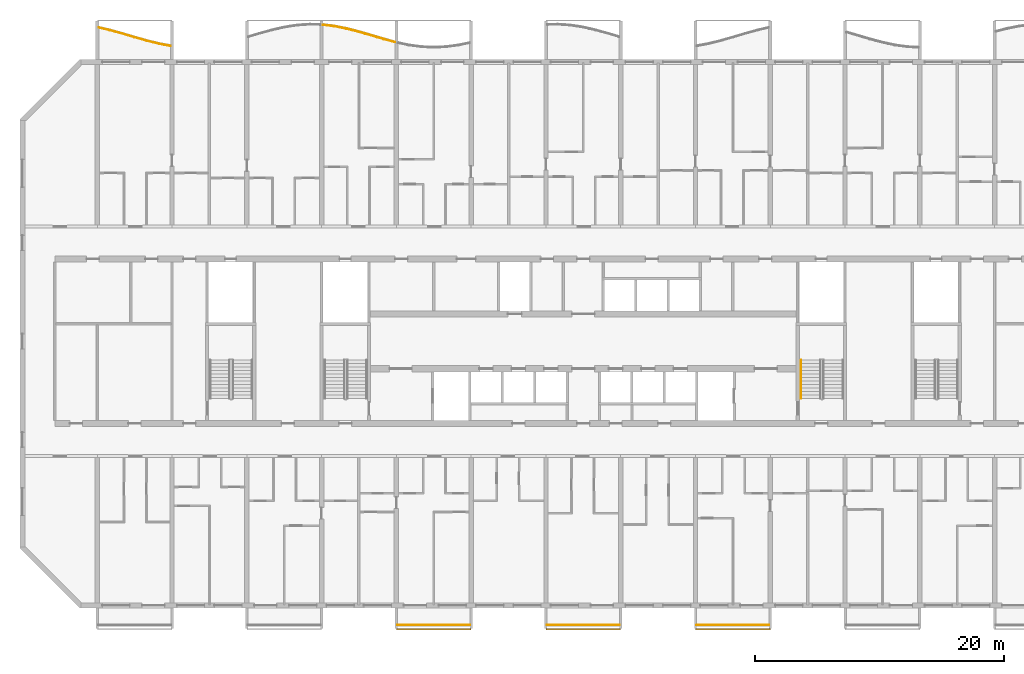
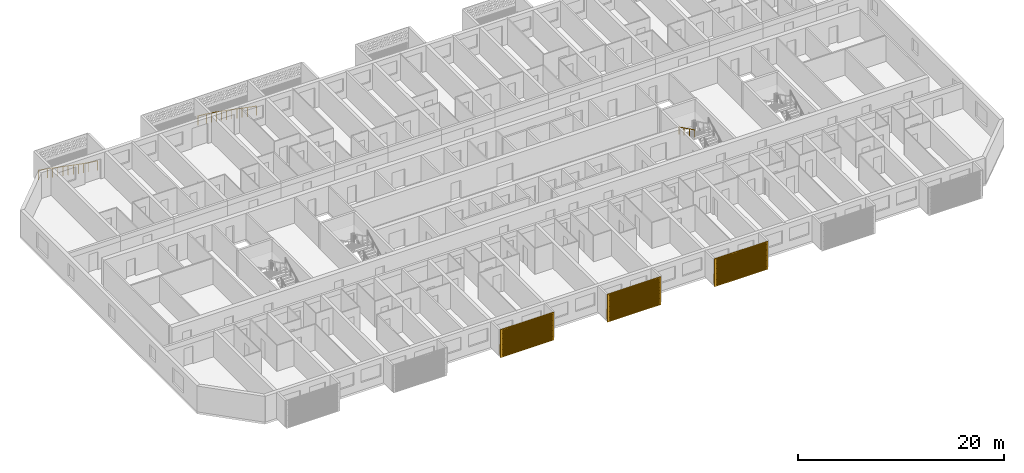
# One storey, part 19 of 31: 6 railings, 3 shading devices.
"""IFC4 building model written with IfcOpenShell, lengths in metres."""

from ifc_helpers import new_model, si_unit, direction, frame, origin, origin_2d, place, context, subcontext, project, spatial, polyline, circle, outline, extrude, source, transform, mapped, material, material_profile, profile_set, type_object, element, save


model = new_model("IFC4")

# Units and contexts
model_context = context("Model", 3, precision=1e-05, world=origin(), true_north=direction((0.0, 1.0)))
body_context = subcontext(model_context, "Body", "Model", "MODEL_VIEW")
ifc_project = project(units=[si_unit("LENGTHUNIT", "METRE"), si_unit("AREAUNIT", "SQUARE_METRE"), si_unit("VOLUMEUNIT", "CUBIC_METRE"), si_unit("PLANEANGLEUNIT", "RADIAN"), si_unit("MASSUNIT", "GRAM", prefix="KILO")], contexts=[model_context])

# Site, building, storey
site_placement = place(None, origin())
site = spatial("IfcSite", under=ifc_project, at=site_placement, CompositionType="ELEMENT")
building_placement = place(site_placement, origin())
building = spatial("IfcBuilding", under=site, at=building_placement, Name="Poui Terraces", CompositionType="ELEMENT")
storey_placement = place(building_placement, frame((0.0, 0.0, 82.800048828125)))
storey = spatial("IfcBuildingStorey", under=building, at=storey_placement, Name="L22", CompositionType="ELEMENT", Elevation=82.800048828125)

# Railings
ifc_material_1 = material(Name="Painted steel fretwork", Category="steel")
railing_type_1 = type_object("IfcRailingType", Name="BALCONY GUARD 1100", PredefinedType="GUARDRAIL", material=ifc_material_1)
railing_1_placement = place(storey_placement, frame((12.125, 46.362060546875, 0.0)))
element("IfcRailing", 1, at=railing_1_placement, inside=storey, type_object=railing_type_1, Name="BALCONY GUARD", PredefinedType="GUARDRAIL", context=body_context, shape_type="SweptSolid", body=[
    extrude(circle(Radius=0.02392578125, at=origin_2d()), frame((0.0, 0.0, 1.076171875), z_axis=(0.973736897475, -0.227676205381, 0.0), x_axis=(0.227676205381, 0.973736897475, 0.0)), (0.0, 0.0, 1.0), 0.898681640625),
    extrude(circle(Radius=0.02392578125, at=origin_2d()), frame((0.875, -0.20458984375, 1.076171875), z_axis=(0.963565078544, -0.267473997633, 0.0), x_axis=(0.267473997633, 0.963565078544, 0.0)), (0.0, 0.0, 1.0), 1.037841796875),
    extrude(circle(Radius=0.02392578125, at=origin_2d()), frame((1.875, -0.482177734375, 1.076171875), z_axis=(0.958774495191, -0.284168026651, 0.0), x_axis=(0.284168026651, 0.958774495191, 0.0)), (0.0, 0.0, 1.0), 1.04296875),
    extrude(circle(Radius=0.02392578125, at=origin_2d()), frame((2.875, -0.778564453125, 1.076171875), z_axis=(0.961727468954, -0.274007801823, 0.0), x_axis=(0.274007801823, 0.961727468954, 0.0)), (0.0, 0.0, 1.0), 1.039794921875),
    extrude(circle(Radius=0.02392578125, at=origin_2d()), frame((3.875, -1.0634765625, 1.076171875), z_axis=(0.971412377048, -0.23739838609, 0.0), x_axis=(0.23739838609, 0.971412377048, 0.0)), (0.0, 0.0, 1.0), 1.029541015625),
    extrude(circle(Radius=0.02392578125, at=origin_2d()), frame((4.875, -1.307861328125, 1.076171875), z_axis=(0.983609802465, -0.180310167472, 0.0), x_axis=(0.180310167472, 0.983609802465, 0.0)), (0.0, 0.0, 1.0), 0.8896484375),
    extrude(circle(Radius=0.02099609375, at=origin_2d()), origin(), (0.0, 0.0, 1.0), 1.052001953125),
    extrude(circle(Radius=0.02099609375, at=origin_2d()), frame((0.875, -0.20458984375, 0.0)), (0.0, 0.0, 1.0), 1.052001953125),
    extrude(circle(Radius=0.02099609375, at=origin_2d()), frame((1.375, -0.34326171875, 0.0)), (0.0, 0.0, 1.0), 1.052001953125),
    extrude(circle(Radius=0.02099609375, at=origin_2d()), frame((1.875, -0.482177734375, 0.0)), (0.0, 0.0, 1.0), 1.052001953125),
    extrude(circle(Radius=0.02099609375, at=origin_2d()), frame((2.375, -0.63037109375, 0.0)), (0.0, 0.0, 1.0), 1.052001953125),
    extrude(circle(Radius=0.02099609375, at=origin_2d()), frame((2.875, -0.778564453125, 0.0)), (0.0, 0.0, 1.0), 1.052001953125),
    extrude(circle(Radius=0.02099609375, at=origin_2d()), frame((3.375, -0.9208984375, 0.0)), (0.0, 0.0, 1.0), 1.052001953125),
    extrude(circle(Radius=0.02099609375, at=origin_2d()), frame((3.875, -1.0634765625, 0.0)), (0.0, 0.0, 1.0), 1.052001953125),
    extrude(circle(Radius=0.02099609375, at=origin_2d()), frame((4.375, -1.185546875, 0.0)), (0.0, 0.0, 1.0), 1.052001953125),
    extrude(circle(Radius=0.02099609375, at=origin_2d()), frame((4.875, -1.307861328125, 0.0)), (0.0, 0.0, 1.0), 1.052001953125),
    extrude(circle(Radius=0.02099609375, at=origin_2d()), frame((5.75, -1.46826171875, 0.0)), (0.0, 0.0, 1.0), 1.052001953125),
])
railing_2_placement = place(storey_placement, frame((30.125, 46.58349609375, 0.0)))
element("IfcRailing", 2, at=railing_2_placement, inside=storey, type_object=railing_type_1, Name="BALCONY GUARD", PredefinedType="GUARDRAIL", context=body_context, shape_type="SweptSolid", body=[
    extrude(circle(Radius=0.02392578125, at=origin_2d()), frame((0.0, 0.0, 1.076171875), z_axis=(0.992648312578, -0.121034406416, 0.0), x_axis=(0.121034406416, 0.992648312578, 0.0)), (0.0, 0.0, 1.0), 0.881591796875),
    extrude(circle(Radius=0.02392578125, at=origin_2d()), frame((0.875, -0.106689453125, 1.076171875), z_axis=(0.981184042676, -0.193074789648, 0.0), x_axis=(0.193074789648, 0.981184042676, 0.0)), (0.0, 0.0, 1.0), 1.019287109375),
    extrude(circle(Radius=0.02392578125, at=origin_2d()), frame((1.875, -0.303466796875, 1.076171875), z_axis=(0.968507596014, -0.248984008448, 0.0), x_axis=(0.248984008448, 0.968507596014, 0.0)), (0.0, 0.0, 1.0), 1.032470703125),
    extrude(circle(Radius=0.02392578125, at=origin_2d()), frame((2.875, -0.560546875, 1.076171875), z_axis=(0.960230728662, -0.279207714316, 0.0), x_axis=(0.279207714316, 0.960230728662, 0.0)), (0.0, 0.0, 1.0), 1.04150390625),
    extrude(circle(Radius=0.02392578125, at=origin_2d()), frame((3.875, -0.851318359375, 1.076171875), z_axis=(0.959219941058, -0.282660758998, 0.0), x_axis=(0.282660758998, 0.959219941058, 0.0)), (0.0, 0.0, 1.0), 1.04248046875),
    extrude(circle(Radius=0.02392578125, at=origin_2d()), frame((4.875, -1.14599609375, 1.076171875), z_axis=(0.965271662908, -0.261248190017, 0.0), x_axis=(0.261248190017, 0.965271662908, 0.0)), (0.0, 0.0, 1.0), 0.906494140625),
    extrude(circle(Radius=0.02099609375, at=origin_2d()), origin(), (0.0, 0.0, 1.0), 1.052001953125),
    extrude(circle(Radius=0.02099609375, at=origin_2d()), frame((0.875, -0.106689453125, 0.0)), (0.0, 0.0, 1.0), 1.052001953125),
    extrude(circle(Radius=0.02099609375, at=origin_2d()), frame((1.375, -0.205078125, 0.0)), (0.0, 0.0, 1.0), 1.052001953125),
    extrude(circle(Radius=0.02099609375, at=origin_2d()), frame((1.875, -0.303466796875, 0.0)), (0.0, 0.0, 1.0), 1.052001953125),
    extrude(circle(Radius=0.02099609375, at=origin_2d()), frame((2.375, -0.43212890625, 0.0)), (0.0, 0.0, 1.0), 1.052001953125),
    extrude(circle(Radius=0.02099609375, at=origin_2d()), frame((2.875, -0.560546875, 0.0)), (0.0, 0.0, 1.0), 1.052001953125),
    extrude(circle(Radius=0.02099609375, at=origin_2d()), frame((3.375, -0.7060546875, 0.0)), (0.0, 0.0, 1.0), 1.052001953125),
    extrude(circle(Radius=0.02099609375, at=origin_2d()), frame((3.875, -0.851318359375, 0.0)), (0.0, 0.0, 1.0), 1.052001953125),
    extrude(circle(Radius=0.02099609375, at=origin_2d()), frame((4.375, -0.99853515625, 0.0)), (0.0, 0.0, 1.0), 1.052001953125),
    extrude(circle(Radius=0.02099609375, at=origin_2d()), frame((4.875, -1.14599609375, 0.0)), (0.0, 0.0, 1.0), 1.052001953125),
    extrude(circle(Radius=0.02099609375, at=origin_2d()), frame((5.75, -1.3828125, 0.0)), (0.0, 0.0, 1.0), 1.052001953125),
])
for number, where, name in (
    (3, (36.10009765625, -1.570068359375, 0.0), "BALCONY GUARD"),
    (4, (48.10009765625, -1.570068359375, 0.0), "BALCONY GUARD"),
    (5, (60.10009765625, -1.570068359375, 0.0), "BALCONY GUARD"),
):
    element("IfcRailing", number, at=place(storey_placement, frame(where)), inside=storey, type_object=railing_type_1, Name=name, PredefinedType="GUARDRAIL", context=body_context, shape_type="SweptSolid", body=[
        extrude(circle(Radius=0.02392578125, at=origin_2d()), frame((0.0, 0.0, 1.076171875), z_axis=(1.0, 0.0, 0.0), x_axis=(0.0, 1.0, 0.0)), (0.0, 0.0, 1.0), 5.7998046875),
        extrude(circle(Radius=0.02099609375, at=origin_2d()), origin(), (0.0, 0.0, 1.0), 1.052001953125),
        extrude(circle(Radius=0.02099609375, at=origin_2d()), frame((0.966552734375, 0.0, 0.0)), (0.0, 0.0, 1.0), 1.052001953125),
        extrude(circle(Radius=0.02099609375, at=origin_2d()), frame((1.933349609375, 0.0, 0.0)), (0.0, 0.0, 1.0), 1.052001953125),
        extrude(circle(Radius=0.02099609375, at=origin_2d()), frame((2.89990234375, 0.0, 0.0)), (0.0, 0.0, 1.0), 1.052001953125),
        extrude(circle(Radius=0.02099609375, at=origin_2d()), frame((3.866455078125, 0.0, 0.0)), (0.0, 0.0, 1.0), 1.052001953125),
        extrude(circle(Radius=0.02099609375, at=origin_2d()), frame((4.833251953125, 0.0, 0.0)), (0.0, 0.0, 1.0), 1.052001953125),
        extrude(circle(Radius=0.02099609375, at=origin_2d()), frame((5.7998046875, 0.0, 0.0)), (0.0, 0.0, 1.0), 1.052001953125),
    ])
ifc_material_2 = material(Name="Stainless steel handrail", Category="steel")
railing_type_2 = type_object("IfcRailingType", Name="STAIR HANDRAIL 900", PredefinedType="HANDRAIL", material=ifc_material_2)
railing_3_placement = place(storey_placement, frame((68.47509765625, 19.679931640625, 1.787353515625)))
element("IfcRailing", 6, at=railing_3_placement, inside=storey, type_object=railing_type_2, Name="L22 ST-CE stair handrail 2", PredefinedType="HANDRAIL", context=body_context, shape_type="SweptSolid", body=[
    extrude(circle(Radius=0.02392578125, at=origin_2d()), frame((0.0, 0.0, 0.8759765625), z_axis=(0.0, -0.897578036475, 0.440855609512), x_axis=(1.0, 0.0, 0.0)), (0.0, 0.0, 1.0), 3.43115234375),
    extrude(circle(Radius=0.02099609375, at=origin_2d()), origin(), (0.0, 0.0, 1.0), 0.851806640625),
    extrude(circle(Radius=0.02099609375, at=origin_2d()), frame((0.0, -1.026611328125, 0.504150390625)), (0.0, 0.0, 1.0), 0.851806640625),
    extrude(circle(Radius=0.02099609375, at=origin_2d()), frame((0.0, -2.05322265625, 1.008544921875)), (0.0, 0.0, 1.0), 0.851806640625),
    extrude(circle(Radius=0.02099609375, at=origin_2d()), frame((0.0, -3.079833984375, 1.5126953125)), (0.0, 0.0, 1.0), 0.851806640625),
])

# Shading devices
ifc_material_3 = material(Name="Aluminium louvre", Category="aluminium")
ifc_material_profile = material_profile(ifc_material_3, outline(polyline([(-3.0, -1.64990234375), (3.0, -1.64990234375), (3.0, 1.64990234375), (-3.0, 1.64990234375), (-3.0, -1.64990234375)]), holes=[polyline([(-2.800048828125, -1.530029296875), (2.800048828125, -1.530029296875), (2.800048828125, -1.469970703125), (-2.800048828125, -1.469970703125), (-2.800048828125, -1.530029296875)]), polyline([(-2.800048828125, -1.429931640625), (2.800048828125, -1.429931640625), (2.800048828125, -1.3701171875), (-2.800048828125, -1.3701171875), (-2.800048828125, -1.429931640625)]), polyline([(-2.800048828125, -1.330078125), (2.800048828125, -1.330078125), (2.800048828125, -1.27001953125), (-2.800048828125, -1.27001953125), (-2.800048828125, -1.330078125)]), polyline([(-2.800048828125, -1.22998046875), (2.800048828125, -1.22998046875), (2.800048828125, -1.169921875), (-2.800048828125, -1.169921875), (-2.800048828125, -1.22998046875)]), polyline([(-2.800048828125, -1.1298828125), (2.800048828125, -1.1298828125), (2.800048828125, -1.070068359375), (-2.800048828125, -1.070068359375), (-2.800048828125, -1.1298828125)]), polyline([(-2.800048828125, -1.030029296875), (2.800048828125, -1.030029296875), (2.800048828125, -0.969970703125), (-2.800048828125, -0.969970703125), (-2.800048828125, -1.030029296875)]), polyline([(-2.800048828125, -0.929931640625), (2.800048828125, -0.929931640625), (2.800048828125, -0.8701171875), (-2.800048828125, -0.8701171875), (-2.800048828125, -0.929931640625)]), polyline([(-2.800048828125, -0.830078125), (2.800048828125, -0.830078125), (2.800048828125, -0.77001953125), (-2.800048828125, -0.77001953125), (-2.800048828125, -0.830078125)]), polyline([(-2.800048828125, -0.72998046875), (2.800048828125, -0.72998046875), (2.800048828125, -0.669921875), (-2.800048828125, -0.669921875), (-2.800048828125, -0.72998046875)]), polyline([(-2.800048828125, -0.6298828125), (2.800048828125, -0.6298828125), (2.800048828125, -0.570068359375), (-2.800048828125, -0.570068359375), (-2.800048828125, -0.6298828125)]), polyline([(-2.800048828125, -0.530029296875), (2.800048828125, -0.530029296875), (2.800048828125, -0.469970703125), (-2.800048828125, -0.469970703125), (-2.800048828125, -0.530029296875)]), polyline([(-2.800048828125, -0.429931640625), (2.800048828125, -0.429931640625), (2.800048828125, -0.3701171875), (-2.800048828125, -0.3701171875), (-2.800048828125, -0.429931640625)]), polyline([(-2.800048828125, -0.330078125), (2.800048828125, -0.330078125), (2.800048828125, -0.27001953125), (-2.800048828125, -0.27001953125), (-2.800048828125, -0.330078125)]), polyline([(-2.800048828125, -0.22998046875), (2.800048828125, -0.22998046875), (2.800048828125, -0.169921875), (-2.800048828125, -0.169921875), (-2.800048828125, -0.22998046875)]), polyline([(-2.800048828125, -0.1298828125), (2.800048828125, -0.1298828125), (2.800048828125, -0.070068359375), (-2.800048828125, -0.070068359375), (-2.800048828125, -0.1298828125)]), polyline([(-2.800048828125, -0.030029296875), (2.800048828125, -0.030029296875), (2.800048828125, 0.030029296875), (-2.800048828125, 0.030029296875), (-2.800048828125, -0.030029296875)]), polyline([(-2.800048828125, 0.070068359375), (2.800048828125, 0.070068359375), (2.800048828125, 0.1298828125), (-2.800048828125, 0.1298828125), (-2.800048828125, 0.070068359375)]), polyline([(-2.800048828125, 0.169921875), (2.800048828125, 0.169921875), (2.800048828125, 0.22998046875), (-2.800048828125, 0.22998046875), (-2.800048828125, 0.169921875)]), polyline([(-2.800048828125, 0.27001953125), (2.800048828125, 0.27001953125), (2.800048828125, 0.330078125), (-2.800048828125, 0.330078125), (-2.800048828125, 0.27001953125)]), polyline([(-2.800048828125, 0.3701171875), (2.800048828125, 0.3701171875), (2.800048828125, 0.429931640625), (-2.800048828125, 0.429931640625), (-2.800048828125, 0.3701171875)]), polyline([(-2.800048828125, 0.469970703125), (2.800048828125, 0.469970703125), (2.800048828125, 0.530029296875), (-2.800048828125, 0.530029296875), (-2.800048828125, 0.469970703125)]), polyline([(-2.800048828125, 0.570068359375), (2.800048828125, 0.570068359375), (2.800048828125, 0.6298828125), (-2.800048828125, 0.6298828125), (-2.800048828125, 0.570068359375)]), polyline([(-2.800048828125, 0.669921875), (2.800048828125, 0.669921875), (2.800048828125, 0.72998046875), (-2.800048828125, 0.72998046875), (-2.800048828125, 0.669921875)]), polyline([(-2.800048828125, 0.77001953125), (2.800048828125, 0.77001953125), (2.800048828125, 0.830078125), (-2.800048828125, 0.830078125), (-2.800048828125, 0.77001953125)]), polyline([(-2.800048828125, 0.8701171875), (2.800048828125, 0.8701171875), (2.800048828125, 0.929931640625), (-2.800048828125, 0.929931640625), (-2.800048828125, 0.8701171875)]), polyline([(-2.800048828125, 0.969970703125), (2.800048828125, 0.969970703125), (2.800048828125, 1.030029296875), (-2.800048828125, 1.030029296875), (-2.800048828125, 0.969970703125)]), polyline([(-2.800048828125, 1.070068359375), (2.800048828125, 1.070068359375), (2.800048828125, 1.1298828125), (-2.800048828125, 1.1298828125), (-2.800048828125, 1.070068359375)]), polyline([(-2.800048828125, 1.169921875), (2.800048828125, 1.169921875), (2.800048828125, 1.22998046875), (-2.800048828125, 1.22998046875), (-2.800048828125, 1.169921875)]), polyline([(-2.800048828125, 1.27001953125), (2.800048828125, 1.27001953125), (2.800048828125, 1.330078125), (-2.800048828125, 1.330078125), (-2.800048828125, 1.27001953125)]), polyline([(-2.800048828125, 1.3701171875), (2.800048828125, 1.3701171875), (2.800048828125, 1.429931640625), (-2.800048828125, 1.429931640625), (-2.800048828125, 1.3701171875)]), polyline([(-2.800048828125, 1.469970703125), (2.800048828125, 1.469970703125), (2.800048828125, 1.530029296875), (-2.800048828125, 1.530029296875), (-2.800048828125, 1.469970703125)])]), Name="JALOUSIE LOUVRE SHUTTER 6000X3300")
ifc_profile_set = profile_set([ifc_material_profile], Name="Aluminium louvre")
shading_device_type = type_object("IfcShadingDeviceType", Name="JALOUSIE LOUVRE SHUTTER 6000X3300", PredefinedType="JALOUSIE", material=ifc_profile_set)
shared_shape = source(origin(), body_context, "Body", "SweptSolid", [
    extrude(outline(polyline([(-3.0, -1.64990234375), (3.0, -1.64990234375), (3.0, 1.64990234375), (-3.0, 1.64990234375), (-3.0, -1.64990234375)]), holes=[polyline([(-2.800048828125, -1.530029296875), (2.800048828125, -1.530029296875), (2.800048828125, -1.469970703125), (-2.800048828125, -1.469970703125), (-2.800048828125, -1.530029296875)]), polyline([(-2.800048828125, -1.429931640625), (2.800048828125, -1.429931640625), (2.800048828125, -1.3701171875), (-2.800048828125, -1.3701171875), (-2.800048828125, -1.429931640625)]), polyline([(-2.800048828125, -1.330078125), (2.800048828125, -1.330078125), (2.800048828125, -1.27001953125), (-2.800048828125, -1.27001953125), (-2.800048828125, -1.330078125)]), polyline([(-2.800048828125, -1.22998046875), (2.800048828125, -1.22998046875), (2.800048828125, -1.169921875), (-2.800048828125, -1.169921875), (-2.800048828125, -1.22998046875)]), polyline([(-2.800048828125, -1.1298828125), (2.800048828125, -1.1298828125), (2.800048828125, -1.070068359375), (-2.800048828125, -1.070068359375), (-2.800048828125, -1.1298828125)]), polyline([(-2.800048828125, -1.030029296875), (2.800048828125, -1.030029296875), (2.800048828125, -0.969970703125), (-2.800048828125, -0.969970703125), (-2.800048828125, -1.030029296875)]), polyline([(-2.800048828125, -0.929931640625), (2.800048828125, -0.929931640625), (2.800048828125, -0.8701171875), (-2.800048828125, -0.8701171875), (-2.800048828125, -0.929931640625)]), polyline([(-2.800048828125, -0.830078125), (2.800048828125, -0.830078125), (2.800048828125, -0.77001953125), (-2.800048828125, -0.77001953125), (-2.800048828125, -0.830078125)]), polyline([(-2.800048828125, -0.72998046875), (2.800048828125, -0.72998046875), (2.800048828125, -0.669921875), (-2.800048828125, -0.669921875), (-2.800048828125, -0.72998046875)]), polyline([(-2.800048828125, -0.6298828125), (2.800048828125, -0.6298828125), (2.800048828125, -0.570068359375), (-2.800048828125, -0.570068359375), (-2.800048828125, -0.6298828125)]), polyline([(-2.800048828125, -0.530029296875), (2.800048828125, -0.530029296875), (2.800048828125, -0.469970703125), (-2.800048828125, -0.469970703125), (-2.800048828125, -0.530029296875)]), polyline([(-2.800048828125, -0.429931640625), (2.800048828125, -0.429931640625), (2.800048828125, -0.3701171875), (-2.800048828125, -0.3701171875), (-2.800048828125, -0.429931640625)]), polyline([(-2.800048828125, -0.330078125), (2.800048828125, -0.330078125), (2.800048828125, -0.27001953125), (-2.800048828125, -0.27001953125), (-2.800048828125, -0.330078125)]), polyline([(-2.800048828125, -0.22998046875), (2.800048828125, -0.22998046875), (2.800048828125, -0.169921875), (-2.800048828125, -0.169921875), (-2.800048828125, -0.22998046875)]), polyline([(-2.800048828125, -0.1298828125), (2.800048828125, -0.1298828125), (2.800048828125, -0.070068359375), (-2.800048828125, -0.070068359375), (-2.800048828125, -0.1298828125)]), polyline([(-2.800048828125, -0.030029296875), (2.800048828125, -0.030029296875), (2.800048828125, 0.030029296875), (-2.800048828125, 0.030029296875), (-2.800048828125, -0.030029296875)]), polyline([(-2.800048828125, 0.070068359375), (2.800048828125, 0.070068359375), (2.800048828125, 0.1298828125), (-2.800048828125, 0.1298828125), (-2.800048828125, 0.070068359375)]), polyline([(-2.800048828125, 0.169921875), (2.800048828125, 0.169921875), (2.800048828125, 0.22998046875), (-2.800048828125, 0.22998046875), (-2.800048828125, 0.169921875)]), polyline([(-2.800048828125, 0.27001953125), (2.800048828125, 0.27001953125), (2.800048828125, 0.330078125), (-2.800048828125, 0.330078125), (-2.800048828125, 0.27001953125)]), polyline([(-2.800048828125, 0.3701171875), (2.800048828125, 0.3701171875), (2.800048828125, 0.429931640625), (-2.800048828125, 0.429931640625), (-2.800048828125, 0.3701171875)]), polyline([(-2.800048828125, 0.469970703125), (2.800048828125, 0.469970703125), (2.800048828125, 0.530029296875), (-2.800048828125, 0.530029296875), (-2.800048828125, 0.469970703125)]), polyline([(-2.800048828125, 0.570068359375), (2.800048828125, 0.570068359375), (2.800048828125, 0.6298828125), (-2.800048828125, 0.6298828125), (-2.800048828125, 0.570068359375)]), polyline([(-2.800048828125, 0.669921875), (2.800048828125, 0.669921875), (2.800048828125, 0.72998046875), (-2.800048828125, 0.72998046875), (-2.800048828125, 0.669921875)]), polyline([(-2.800048828125, 0.77001953125), (2.800048828125, 0.77001953125), (2.800048828125, 0.830078125), (-2.800048828125, 0.830078125), (-2.800048828125, 0.77001953125)]), polyline([(-2.800048828125, 0.8701171875), (2.800048828125, 0.8701171875), (2.800048828125, 0.929931640625), (-2.800048828125, 0.929931640625), (-2.800048828125, 0.8701171875)]), polyline([(-2.800048828125, 0.969970703125), (2.800048828125, 0.969970703125), (2.800048828125, 1.030029296875), (-2.800048828125, 1.030029296875), (-2.800048828125, 0.969970703125)]), polyline([(-2.800048828125, 1.070068359375), (2.800048828125, 1.070068359375), (2.800048828125, 1.1298828125), (-2.800048828125, 1.1298828125), (-2.800048828125, 1.070068359375)]), polyline([(-2.800048828125, 1.169921875), (2.800048828125, 1.169921875), (2.800048828125, 1.22998046875), (-2.800048828125, 1.22998046875), (-2.800048828125, 1.169921875)]), polyline([(-2.800048828125, 1.27001953125), (2.800048828125, 1.27001953125), (2.800048828125, 1.330078125), (-2.800048828125, 1.330078125), (-2.800048828125, 1.27001953125)]), polyline([(-2.800048828125, 1.3701171875), (2.800048828125, 1.3701171875), (2.800048828125, 1.429931640625), (-2.800048828125, 1.429931640625), (-2.800048828125, 1.3701171875)]), polyline([(-2.800048828125, 1.469970703125), (2.800048828125, 1.469970703125), (2.800048828125, 1.530029296875), (-2.800048828125, 1.530029296875), (-2.800048828125, 1.469970703125)])]), origin(), (0.0, 0.0, 1.0), 0.099853515625),
])
for number, where, z_axis, x_axis, name in (
    (7, (39.0, -1.85009765625, 1.449951171875), (0.0, -1.0, 0.0), (1.0, 0.0, 0.0), "JALOUSIE LOUVRE SHUTTER"),
    (8, (51.0, -1.85009765625, 1.449951171875), (0.0, -1.0, 0.0), (1.0, 0.0, 0.0), "JALOUSIE LOUVRE SHUTTER"),
    (9, (63.0, -1.85009765625, 1.449951171875), (0.0, -1.0, 0.0), (1.0, 0.0, 0.0), "JALOUSIE LOUVRE SHUTTER"),
):
    element("IfcShadingDevice", number, at=place(storey_placement, frame(where, z_axis=z_axis, x_axis=x_axis)), inside=storey, type_object=shading_device_type, Name=name, PredefinedType="JALOUSIE", context=body_context, shape_type="MappedRepresentation", body=[
        mapped(shared_shape, transform((0.0, 0.0, 0.0))),
    ])

save(model, "model.ifc")
